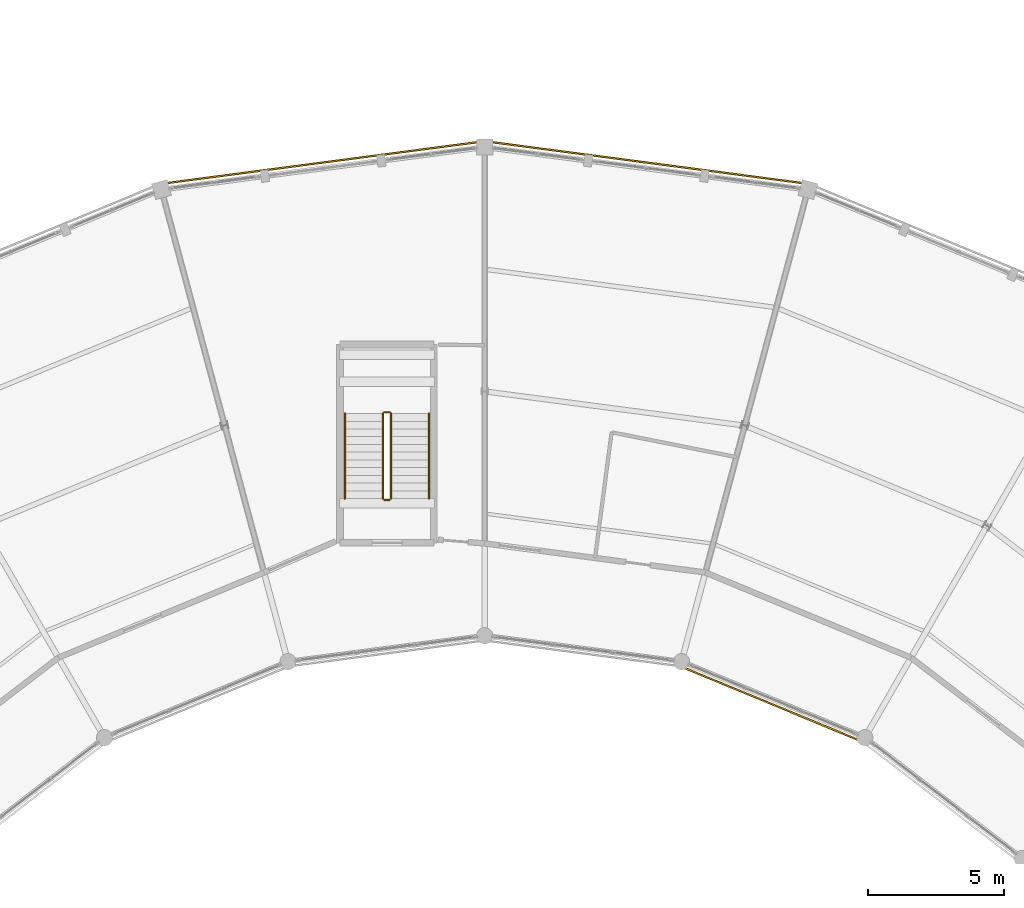
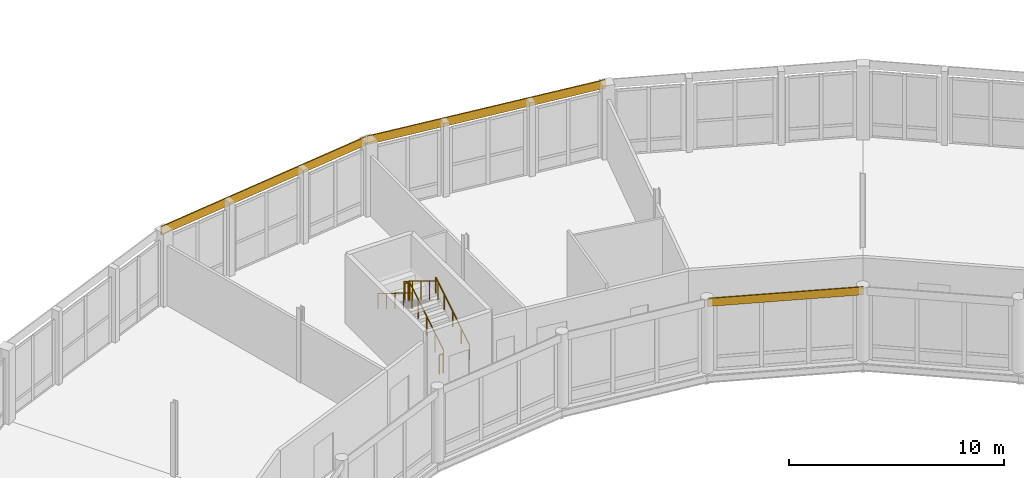
# One storey, part 180 of 185: 6 railings, 3 coverings.
"""IFC4 building model written with IfcOpenShell, lengths in metres."""

from ifc_helpers import new_model, si_unit, direction, frame, origin, origin_2d, place, context, subcontext, project, spatial, rectangle, circle, extrude, material, layer, layer_set, type_object, element, save


model = new_model("IFC4")

# Units and contexts
model_context = context("Model", 3, precision=1e-05, world=origin(), true_north=direction((0.0, 1.0)))
body_context = subcontext(model_context, "Body", "Model", "MODEL_VIEW")
ifc_project = project(units=[si_unit("LENGTHUNIT", "METRE"), si_unit("AREAUNIT", "SQUARE_METRE"), si_unit("VOLUMEUNIT", "CUBIC_METRE"), si_unit("PLANEANGLEUNIT", "RADIAN"), si_unit("MASSUNIT", "GRAM", prefix="KILO")], contexts=[model_context])

# Site, building, storey
site_placement = place(None, origin())
site = spatial("IfcSite", under=ifc_project, at=site_placement, CompositionType="ELEMENT")
building_placement = place(site_placement, origin())
building = spatial("IfcBuilding", under=site, at=building_placement, Name="Vondelvale Polytechnic", CompositionType="ELEMENT")
storey_placement = place(building_placement, frame((0.0, 0.0, 9.60009765625)))
storey = spatial("IfcBuildingStorey", under=building, at=storey_placement, Name="L02", CompositionType="ELEMENT", Elevation=9.60009765625)

# Coverings
ifc_material_1 = material(Name="Engineered Tasmanian oak studio and bridge joinery")
ifc_layer_1 = layer(ifc_material_1, 0.06494140625)
ifc_layer_set_1 = layer_set([ifc_layer_1], Name="COV-OAK-SPANDREL")
covering_type = type_object("IfcCoveringType", Name="COV-OAK-SPANDREL", PredefinedType="CLADDING", material=ifc_layer_set_1)
covering_placement = place(storey_placement, frame((112.55810546875, 97.4892578125, 3.75), z_axis=(0.0, 0.0, 1.0), x_axis=(-0.923879532511, 0.382683432365, 0.0)))
element("IfcCovering", 1, at=covering_placement, inside=storey, type_object=covering_type, Name="L02 exterior masonry spandrel band", PredefinedType="CLADDING", context=body_context, shape_type="SweptSolid", body=[
    extrude(rectangle(XDim=7.3095703125, YDim=0.06494140625, at=origin_2d()), origin(), (0.0, 0.0, 1.0), 0.449951171875),
])
for number, where, z_axis, x_axis, name in (
    (2, (107.980224609375, 117.42529296875, 3.719970703125), (0.0, 0.0, 1.0), (-0.991444861374, 0.13052619222, 0.0), "L02 exterior masonry spandrel band"),
    (3, (96.019775390625, 117.42529296875, 3.719970703125), (0.0, 0.0, 1.0), (-0.991444861374, -0.13052619222, 0.0), "L02 exterior masonry spandrel band"),
):
    element("IfcCovering", number, at=place(storey_placement, frame(where, z_axis=z_axis, x_axis=x_axis)), inside=storey, type_object=covering_type, Name=name, PredefinedType="CLADDING", context=body_context, shape_type="SweptSolid", body=[
        extrude(rectangle(XDim=12.00830078125, YDim=0.06494140625, at=origin_2d()), origin(), (0.0, 0.0, 1.0), 0.47998046875),
    ])

# Railings
ifc_material_2 = material(Name="Brushed architectural stainless and zinc-coated metal")
ifc_layer_2 = layer(ifc_material_2, 0.050048828125)
ifc_layer_set_2 = layer_set([ifc_layer_2], Name="RL-STAIR-GUARD")
railing_type_1 = type_object("IfcRailingType", Name="RL-STAIR-GUARD", PredefinedType="GUARDRAIL", material=ifc_layer_set_2)
railing_1_placement = place(storey_placement, frame((98.550048828125, 105.050048828125, 0.1748046875)))
element("IfcRailing", 4, at=railing_1_placement, inside=storey, type_object=railing_type_1, Name="L02 ST-09 stair guard 1", PredefinedType="GUARDRAIL", context=body_context, shape_type="SweptSolid", body=[
    extrude(circle(Radius=0.02392578125, at=origin_2d()), frame((0.0, 0.0, 1.076171875), z_axis=(0.0, 0.852166034122, 0.523271488128), x_axis=(-1.0, 0.0, 0.0)), (0.0, 0.0, 1.0), 3.678955078125),
    extrude(circle(Radius=0.02099609375, at=origin_2d()), origin(), (0.0, 0.0, 1.0), 1.052001953125),
    extrude(circle(Radius=0.02099609375, at=origin_2d()), frame((0.0, 0.78369140625, 0.481201171875)), (0.0, 0.0, 1.0), 1.052001953125),
    extrude(circle(Radius=0.02099609375, at=origin_2d()), frame((0.0, 1.5673828125, 0.96240234375)), (0.0, 0.0, 1.0), 1.052001953125),
    extrude(circle(Radius=0.02099609375, at=origin_2d()), frame((0.0, 2.351318359375, 1.44384765625)), (0.0, 0.0, 1.0), 1.052001953125),
    extrude(circle(Radius=0.02099609375, at=origin_2d()), frame((0.0, 3.135009765625, 1.925048828125)), (0.0, 0.0, 1.0), 1.052001953125),
])
railing_2_placement = place(storey_placement, frame((98.5, 108.235107421875, 2.099853515625)))
element("IfcRailing", 5, at=railing_2_placement, inside=storey, type_object=railing_type_1, Name="L02 ST-09 stair guard 2", PredefinedType="GUARDRAIL", context=body_context, shape_type="SweptSolid", body=[
    extrude(circle(Radius=0.02392578125, at=origin_2d()), frame((0.0, 0.0, 1.076171875), z_axis=(-1.0, 0.0, 0.0), x_axis=(0.0, -1.0, 0.0)), (0.0, 0.0, 1.0), 0.199951171875),
    extrude(circle(Radius=0.02099609375, at=origin_2d()), origin(), (0.0, 0.0, 1.0), 1.052001953125),
    extrude(circle(Radius=0.02099609375, at=origin_2d()), frame((-0.199951171875, 0.0, 0.0)), (0.0, 0.0, 1.0), 1.052001953125),
])
railing_3_placement = place(storey_placement, frame((98.25, 108.18505859375, 2.27490234375)))
element("IfcRailing", 6, at=railing_3_placement, inside=storey, type_object=railing_type_1, Name="L02 ST-09 stair guard 3", PredefinedType="GUARDRAIL", context=body_context, shape_type="SweptSolid", body=[
    extrude(circle(Radius=0.02392578125, at=origin_2d()), frame((0.0, 0.0, 1.076171875), z_axis=(0.0, -0.852166034122, 0.523271488128), x_axis=(1.0, 0.0, 0.0)), (0.0, 0.0, 1.0), 3.678955078125),
    extrude(circle(Radius=0.02099609375, at=origin_2d()), origin(), (0.0, 0.0, 1.0), 1.052001953125),
    extrude(circle(Radius=0.02099609375, at=origin_2d()), frame((0.0, -0.78369140625, 0.481201171875)), (0.0, 0.0, 1.0), 1.052001953125),
    extrude(circle(Radius=0.02099609375, at=origin_2d()), frame((0.0, -1.5673828125, 0.96240234375)), (0.0, 0.0, 1.0), 1.052001953125),
    extrude(circle(Radius=0.02099609375, at=origin_2d()), frame((0.0, -2.351318359375, 1.44384765625)), (0.0, 0.0, 1.0), 1.052001953125),
    extrude(circle(Radius=0.02099609375, at=origin_2d()), frame((0.0, -3.135009765625, 1.925048828125)), (0.0, 0.0, 1.0), 1.052001953125),
])
railing_4_placement = place(storey_placement, frame((98.5, 105.0, 0.0)))
element("IfcRailing", 7, at=railing_4_placement, inside=storey, type_object=railing_type_1, Name="L02 ST-09 stair guard 4", PredefinedType="GUARDRAIL", context=body_context, shape_type="SweptSolid", body=[
    extrude(circle(Radius=0.02392578125, at=origin_2d()), frame((0.0, 0.0, 1.076171875), z_axis=(-1.0, 0.0, 0.0), x_axis=(0.0, -1.0, 0.0)), (0.0, 0.0, 1.0), 0.199951171875),
    extrude(circle(Radius=0.02099609375, at=origin_2d()), origin(), (0.0, 0.0, 1.0), 1.052001953125),
    extrude(circle(Radius=0.02099609375, at=origin_2d()), frame((-0.199951171875, 0.0, 0.0)), (0.0, 0.0, 1.0), 1.052001953125),
])
ifc_layer_3 = layer(ifc_material_2, 0.048095703125)
ifc_layer_set_3 = layer_set([ifc_layer_3], Name="RL-STAIR-HANDRAIL")
railing_type_2 = type_object("IfcRailingType", Name="RL-STAIR-HANDRAIL", PredefinedType="HANDRAIL", material=ifc_layer_set_3)
railing_5_placement = place(storey_placement, frame((99.949951171875, 105.050048828125, 0.1748046875)))
element("IfcRailing", 8, at=railing_5_placement, inside=storey, type_object=railing_type_2, Name="L02 ST-09 stair handrail 1", PredefinedType="HANDRAIL", context=body_context, shape_type="SweptSolid", body=[
    extrude(circle(Radius=0.02392578125, at=origin_2d()), frame((0.0, 0.0, 0.8759765625), z_axis=(0.0, 0.852166034122, 0.523271488128), x_axis=(-1.0, 0.0, 0.0)), (0.0, 0.0, 1.0), 3.678955078125),
    extrude(circle(Radius=0.02099609375, at=origin_2d()), origin(), (0.0, 0.0, 1.0), 0.851806640625),
    extrude(circle(Radius=0.02099609375, at=origin_2d()), frame((0.0, 0.78369140625, 0.481201171875)), (0.0, 0.0, 1.0), 0.851806640625),
    extrude(circle(Radius=0.02099609375, at=origin_2d()), frame((0.0, 1.5673828125, 0.96240234375)), (0.0, 0.0, 1.0), 0.851806640625),
    extrude(circle(Radius=0.02099609375, at=origin_2d()), frame((0.0, 2.351318359375, 1.44384765625)), (0.0, 0.0, 1.0), 0.851806640625),
    extrude(circle(Radius=0.02099609375, at=origin_2d()), frame((0.0, 3.135009765625, 1.925048828125)), (0.0, 0.0, 1.0), 0.851806640625),
])
railing_6_placement = place(storey_placement, frame((96.85009765625, 108.18505859375, 2.27490234375)))
element("IfcRailing", 9, at=railing_6_placement, inside=storey, type_object=railing_type_2, Name="L02 ST-09 stair handrail 2", PredefinedType="HANDRAIL", context=body_context, shape_type="SweptSolid", body=[
    extrude(circle(Radius=0.02392578125, at=origin_2d()), frame((0.0, 0.0, 0.8759765625), z_axis=(0.0, -0.852166034122, 0.523271488128), x_axis=(1.0, 0.0, 0.0)), (0.0, 0.0, 1.0), 3.678955078125),
    extrude(circle(Radius=0.02099609375, at=origin_2d()), origin(), (0.0, 0.0, 1.0), 0.851806640625),
    extrude(circle(Radius=0.02099609375, at=origin_2d()), frame((0.0, -0.78369140625, 0.481201171875)), (0.0, 0.0, 1.0), 0.851806640625),
    extrude(circle(Radius=0.02099609375, at=origin_2d()), frame((0.0, -1.5673828125, 0.96240234375)), (0.0, 0.0, 1.0), 0.851806640625),
    extrude(circle(Radius=0.02099609375, at=origin_2d()), frame((0.0, -2.351318359375, 1.44384765625)), (0.0, 0.0, 1.0), 0.851806640625),
    extrude(circle(Radius=0.02099609375, at=origin_2d()), frame((0.0, -3.135009765625, 1.925048828125)), (0.0, 0.0, 1.0), 0.851806640625),
])

save(model, "model.ifc")
